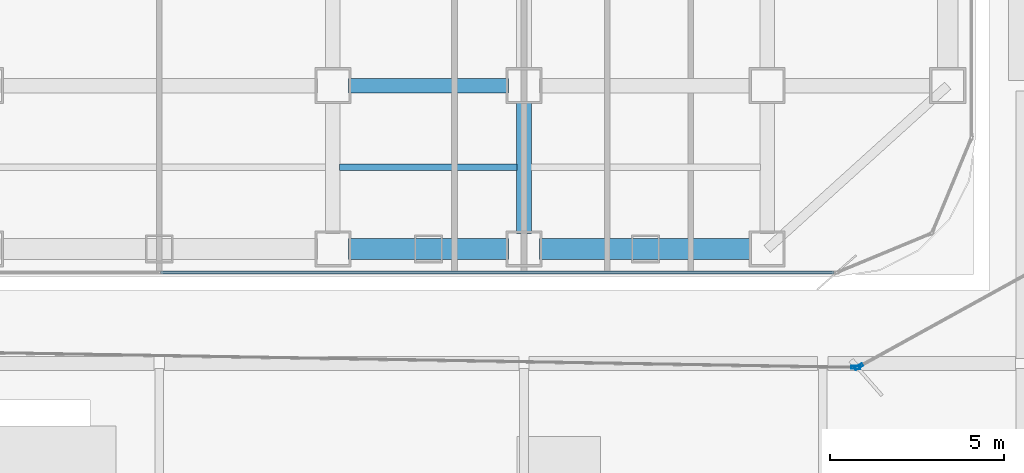
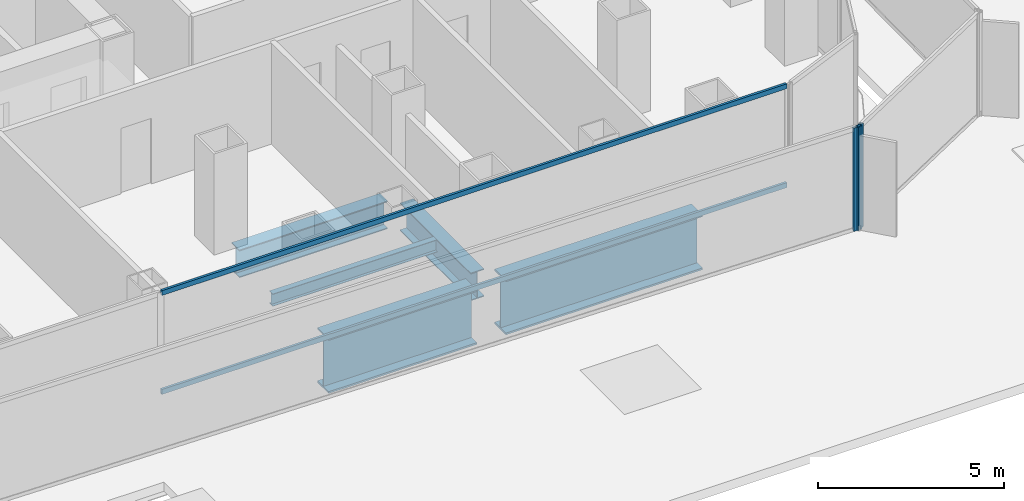
# One storey, part 7 of 27: 5 beams, 4 members, 3 elements without a shape of their own.
"""IFC4 building model written with IfcOpenShell, lengths in metres."""

from ifc_helpers import new_model, si_unit, direction, frame, origin, origin_2d, place, context, subcontext, project, spatial, hollow_rectangle, i_section, extrude, source, transform, mapped, material, layer, layer_set, material_profile, profile_set, type_object, element, aggregate, save


model = new_model("IFC4")

# Units and contexts
model_context = context("Model", 3, precision=1e-05, world=origin(), true_north=direction((0.0, 1.0)))
body_context = subcontext(model_context, "Body", "Model", "MODEL_VIEW")
ifc_project = project(units=[si_unit("LENGTHUNIT", "METRE"), si_unit("AREAUNIT", "SQUARE_METRE"), si_unit("VOLUMEUNIT", "CUBIC_METRE"), si_unit("PLANEANGLEUNIT", "RADIAN"), si_unit("MASSUNIT", "GRAM", prefix="KILO")], contexts=[model_context])

# Site, building, storey
site_placement = place(None, origin())
site = spatial("IfcSite", under=ifc_project, at=site_placement, CompositionType="ELEMENT")
building_placement = place(site_placement, origin())
building = spatial("IfcBuilding", under=site, at=building_placement, Name="Kolveth Station Tower", CompositionType="ELEMENT")
storey_placement = place(building_placement, frame((0.0, 0.0, 22.5)))
storey = spatial("IfcBuildingStorey", under=building, at=storey_placement, Name="L05", CompositionType="ELEMENT", Elevation=22.5)

# Beams
ifc_material_1 = material(Name="Steel S355", Category="steel")
ifc_material_profile_1 = material_profile(ifc_material_1, i_section(OverallWidth=0.41796875, OverallDepth=0.912109375, WebThickness=0.019287109375, FlangeThickness=0.031982421875, at=origin_2d()), Name="W920x342")
ifc_profile_set_1 = profile_set([ifc_material_profile_1], Name="Steel S355")
beam_type_1 = type_object("IfcBeamType", Name="Beam_B1", PredefinedType="BEAM", material=ifc_profile_set_1)
shared_shape_1 = source(origin(), body_context, "Body", "SweptSolid", [
    extrude(i_section(OverallWidth=0.41796875, OverallDepth=0.912109375, WebThickness=0.019287109375, FlangeThickness=0.031982421875, at=origin_2d()), origin(), (0.0, 0.0, 1.0), 4.60009765625),
])
beam_1_placement = place(storey_placement, frame((28.949951171875, 5.5, -0.81591796875), z_axis=(1.0, 0.0, 0.0), x_axis=(0.0, 1.0, 0.0)))
element("IfcBeam", 1, at=beam_1_placement, inside=storey, type_object=beam_type_1, Name="L05 Primary Girder BM-L05-GY55-5", PredefinedType="BEAM", context=body_context, shape_type="MappedRepresentation", body=[
    mapped(shared_shape_1, transform((0.0, 0.0, 0.0), x_axis=(1.0, 0.0, 0.0), y_axis=(0.0, 1.0, 0.0), z_axis=(0.0, 0.0, 1.0), scale=1.0)),
])
shared_shape_2 = source(origin(), body_context, "Body", "SweptSolid", [
    extrude(i_section(OverallWidth=0.41796875, OverallDepth=0.912109375, WebThickness=0.019287109375, FlangeThickness=0.031982421875, at=origin_2d()), origin(), (0.0, 0.0, 1.0), 3.800048828125),
])
beam_2_placement = place(storey_placement, frame((34.0, 1.25, -0.81591796875), z_axis=(0.0, 1.0, 0.0), x_axis=(-1.0, 0.0, 0.0)))
element("IfcBeam", 2, at=beam_2_placement, inside=storey, type_object=beam_type_1, Name="L05 Primary Girder BM-L05-GX340-1", PredefinedType="BEAM", context=body_context, shape_type="MappedRepresentation", body=[
    mapped(shared_shape_2, transform((0.0, 0.0, 0.0), x_axis=(1.0, 0.0, 0.0), y_axis=(0.0, 1.0, 0.0), z_axis=(0.0, 0.0, 1.0), scale=1.0)),
])
ifc_material_profile_2 = material_profile(ifc_material_1, i_section(OverallWidth=0.177978515625, OverallDepth=0.406982421875, WebThickness=0.0078125, FlangeThickness=0.0126953125, at=origin_2d()), Name="W410x60")
ifc_profile_set_2 = profile_set([ifc_material_profile_2], Name="Steel S355")
beam_type_2 = type_object("IfcBeamType", Name="Beam_J1", PredefinedType="JOIST", material=ifc_profile_set_2)
shared_shape_3 = source(origin(), body_context, "Body", "SweptSolid", [
    extrude(i_section(OverallWidth=0.177978515625, OverallDepth=0.406982421875, WebThickness=0.0078125, FlangeThickness=0.0126953125, at=origin_2d()), origin(), (0.0, 0.0, 1.0), 5.10986328125),
])
beam_3_placement = place(storey_placement, frame((28.695068359375, 3.14990234375, -0.5634765625), z_axis=(1.0, 0.0, 0.0), x_axis=(0.0, 1.0, 0.0)))
element("IfcBeam", 3, at=beam_3_placement, inside=storey, type_object=beam_type_2, Name="L05 Secondary Joist JST-L05-5-1", PredefinedType="JOIST", context=body_context, shape_type="MappedRepresentation", body=[
    mapped(shared_shape_3, transform((0.0, 0.0, 0.0), x_axis=(1.0, 0.0, 0.0), y_axis=(0.0, 1.0, 0.0), z_axis=(0.0, 0.0, 1.0), scale=1.0)),
])
ifc_material_2 = material(Name="Steel S460", Category="steel")
ifc_material_profile_3 = material_profile(ifc_material_2, i_section(OverallWidth=0.60009765625, OverallDepth=1.800048828125, WebThickness=0.031982421875, FlangeThickness=0.06005859375, at=origin_2d()), Name="PG1800x600x60")
ifc_profile_set_3 = profile_set([ifc_material_profile_3], Name="Steel S460")
beam_type_3 = type_object("IfcBeamType", Name="Beam_TG2", PredefinedType="BEAM", material=ifc_profile_set_3)
shared_shape_4 = source(origin(), body_context, "Body", "SweptSolid", [
    extrude(i_section(OverallWidth=0.60009765625, OverallDepth=1.800048828125, WebThickness=0.031982421875, FlangeThickness=0.06005859375, at=origin_2d()), origin(), (0.0, 0.0, 1.0), 6.10009765625),
])
beam_4_placement = place(storey_placement, frame((34.449951171875, 0.800048828125, -1.260009765625), z_axis=(1.0, 0.0, 0.0), x_axis=(0.0, 1.0, 0.0)))
element("IfcBeam", 4, at=beam_4_placement, inside=storey, type_object=beam_type_3, Name="L05 Transfer Girder BM-L05-PS-5", PredefinedType="BEAM", context=body_context, shape_type="MappedRepresentation", body=[
    mapped(shared_shape_4, transform((0.0, 0.0, 0.0), x_axis=(1.0, 0.0, 0.0), y_axis=(0.0, 1.0, 0.0), z_axis=(0.0, 0.0, 1.0), scale=1.0)),
])
shared_shape_5 = source(origin(), body_context, "Body", "SweptSolid", [
    extrude(i_section(OverallWidth=0.60009765625, OverallDepth=1.800048828125, WebThickness=0.031982421875, FlangeThickness=0.06005859375, at=origin_2d()), origin(), (0.0, 0.0, 1.0), 4.60009765625),
])
beam_5_placement = place(storey_placement, frame((28.949951171875, 0.800048828125, -1.260009765625), z_axis=(1.0, 0.0, 0.0), x_axis=(0.0, 1.0, 0.0)))
element("IfcBeam", 5, at=beam_5_placement, inside=storey, type_object=beam_type_3, Name="L05 Transfer Girder BM-L05-PS-4", PredefinedType="BEAM", context=body_context, shape_type="MappedRepresentation", body=[
    mapped(shared_shape_5, transform((0.0, 0.0, 0.0), x_axis=(1.0, 0.0, 0.0), y_axis=(0.0, 1.0, 0.0), z_axis=(0.0, 0.0, 1.0), scale=1.0)),
])

# Curtain wall, members
ifc_material_3 = material(Name="Aluminium 6063-T6 and low-E dark glass", Category="aluminium")
ifc_layer_1 = layer(ifc_material_3, 0.179931640625)
ifc_layer_set_1 = layer_set([ifc_layer_1], Name="Aluminium 6063-T6 and low-E dark glass")
curtain_wall_type_1 = type_object("IfcCurtainWallType", Name="CurtainWall_CW-Z1", PredefinedType="NOTDEFINED", material=ifc_layer_set_1)
curtain_wall_1_placement = place(storey_placement, origin())
curtain_wall_1 = element("IfcCurtainWall", 6, at=curtain_wall_1_placement, inside=storey, type_object=curtain_wall_type_1, Name="L05 Inner Thermal Curtain Wall 12", PredefinedType="NOTDEFINED")
ifc_material_4 = material(Name="Black anodized aluminium 6063-T6", Category="aluminium")
ifc_material_profile_4 = material_profile(ifc_material_4, hollow_rectangle(XDim=0.074951171875, YDim=0.159912109375, WallThickness=0.0048828125, at=origin_2d()), Name="ALU-75x160x5")
ifc_profile_set_4 = profile_set([ifc_material_profile_4], Name="Black anodized aluminium 6063-T6")
member_type_1 = type_object("IfcMemberType", Name="Transom_TR1", PredefinedType="USERDEFINED", material=ifc_profile_set_4)
shared_shape_6 = source(origin(), body_context, "Body", "SweptSolid", [
    extrude(hollow_rectangle(XDim=0.074951171875, YDim=0.159912109375, WallThickness=0.0048828125, at=origin_2d()), origin(), (0.0, 0.0, 1.0), 19.387451171875),
])
member_1_placement = place(storey_placement, frame((23.53759765625, 0.1201171875, 0.03759765625), z_axis=(1.0, 0.0, 0.0), x_axis=(0.0, 1.0, 0.0)))
member_1 = element("IfcMember", 7, at=member_1_placement, type_object=member_type_1, Name="CW-Z1 transom 2.1", ObjectType="TRANSOM", PredefinedType="USERDEFINED", context=body_context, shape_type="MappedRepresentation", body=[
    mapped(shared_shape_6, transform((0.0, 0.0, 0.0), x_axis=(1.0, 0.0, 0.0), y_axis=(0.0, 1.0, 0.0), z_axis=(0.0, 0.0, 1.0), scale=1.0)),
])
member_2_placement = place(storey_placement, frame((23.53759765625, 0.1201171875, 3.282470703125), z_axis=(1.0, 0.0, 0.0), x_axis=(0.0, 1.0, 0.0)))
member_2 = element("IfcMember", 8, at=member_2_placement, type_object=member_type_1, Name="CW-Z1 transom 2.2", ObjectType="TRANSOM", PredefinedType="USERDEFINED", context=body_context, shape_type="MappedRepresentation", body=[
    mapped(shared_shape_6, transform((0.0, 0.0, 0.0), x_axis=(1.0, 0.0, 0.0), y_axis=(0.0, 1.0, 0.0), z_axis=(0.0, 0.0, 1.0), scale=1.0)),
])
aggregate(curtain_wall_1, [member_1, member_2])

# Curtain wall, member
ifc_material_5 = material(Name="Black anodized aluminium 6063-T6 and dark solar glass", Category="aluminium")
ifc_layer_2 = layer(ifc_material_5, 0.159912109375)
ifc_layer_set_2 = layer_set([ifc_layer_2], Name="Black anodized aluminium 6063-T6 and dark solar glass")
curtain_wall_type_2 = type_object("IfcCurtainWallType", Name="OUTER SKIN CW-OS", PredefinedType="NOTDEFINED", material=ifc_layer_set_2)
curtain_wall_2_placement = place(storey_placement, origin())
curtain_wall_2 = element("IfcCurtainWall", 9, at=curtain_wall_2_placement, inside=storey, type_object=curtain_wall_type_2, Name="L05 Outer Ventilated Skin Curtain Wall 1", PredefinedType="NOTDEFINED")
ifc_material_profile_5 = material_profile(ifc_material_4, hollow_rectangle(XDim=0.090087890625, YDim=0.260009765625, WallThickness=0.0048828125, at=origin_2d()), Name="ALU-90x260x5")
ifc_profile_set_5 = profile_set([ifc_material_profile_5], Name="Black anodized aluminium 6063-T6")
member_type_2 = type_object("IfcMemberType", Name="FIN MULLION ML-OS", PredefinedType="MULLION", material=ifc_profile_set_5)
shared_shape_7 = source(origin(), body_context, "Body", "SweptSolid", [
    extrude(hollow_rectangle(XDim=0.090087890625, YDim=0.260009765625, WallThickness=0.0048828125, at=origin_2d()), origin(), (0.0, 0.0, 1.0), 3.389892578125),
])
member_3_placement = place(storey_placement, frame((43.635986328125, -2.59228515625, 0.0), z_axis=(0.0, 0.0, 1.0), x_axis=(-0.482854348071, 0.875700678628, 0.0)))
member_3 = element("IfcMember", 10, at=member_3_placement, type_object=member_type_2, Name="CW-OS mullion 1", PredefinedType="MULLION", context=body_context, shape_type="MappedRepresentation", body=[
    mapped(shared_shape_7, transform((0.0, 0.0, 0.0), x_axis=(1.0, 0.0, 0.0), y_axis=(0.0, 1.0, 0.0), z_axis=(0.0, 0.0, 1.0), scale=1.0)),
])
aggregate(curtain_wall_2, [member_3])

curtain_wall_3_placement = place(storey_placement, origin())
curtain_wall_3 = element("IfcCurtainWall", 11, at=curtain_wall_3_placement, inside=storey, type_object=curtain_wall_type_2, Name="L05 Outer Ventilated Skin Curtain Wall 8", PredefinedType="NOTDEFINED")
member_4_placement = place(storey_placement, frame((43.5517578125, -2.61328125, 0.0), z_axis=(0.0, 0.0, 1.0), x_axis=(0.016994751776, 0.999855578777, 0.0)))
member_4 = element("IfcMember", 12, at=member_4_placement, type_object=member_type_2, Name="CW-OS mullion 2", PredefinedType="MULLION", context=body_context, shape_type="MappedRepresentation", body=[
    mapped(shared_shape_7, transform((0.0, 0.0, 0.0), x_axis=(1.0, 0.0, 0.0), y_axis=(0.0, 1.0, 0.0), z_axis=(0.0, 0.0, 1.0), scale=1.0)),
])
aggregate(curtain_wall_3, [member_4])

save(model, "model.ifc")
